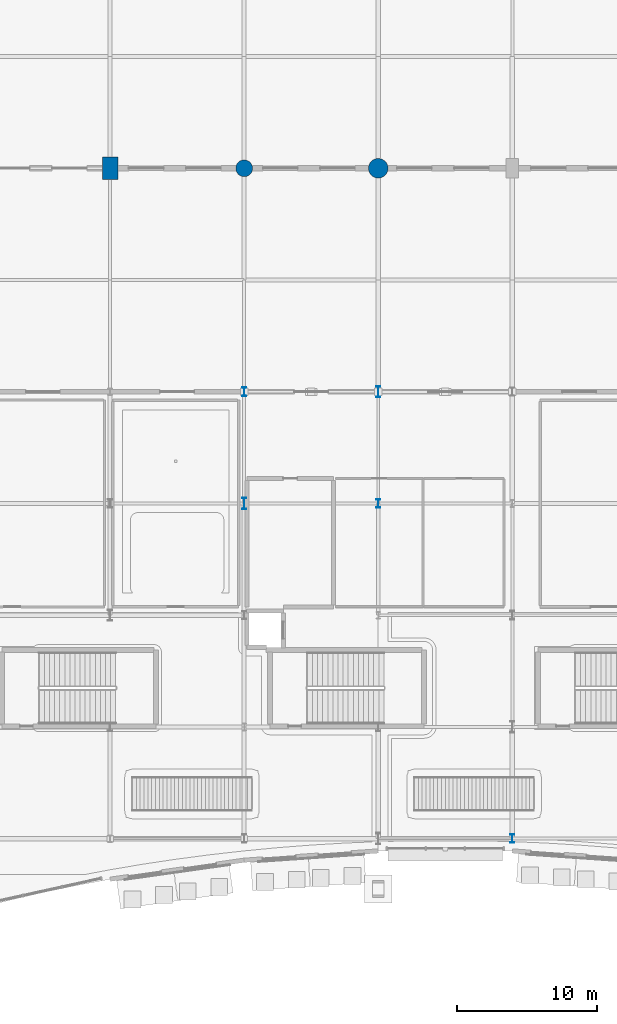
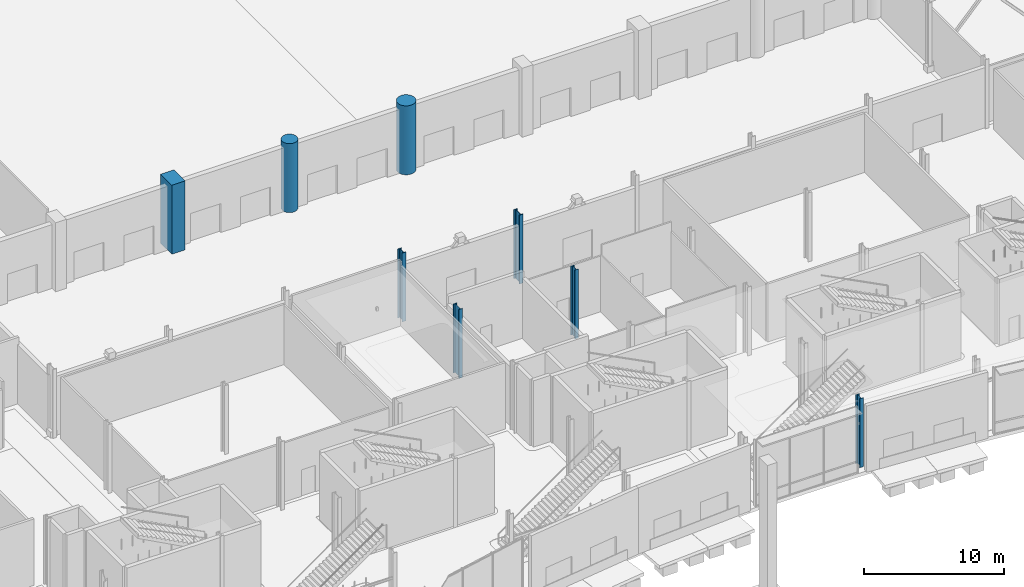
# One storey, part 9 of 124: 8 columns.
"""IFC4 building model written with IfcOpenShell, lengths in metres."""

from ifc_helpers import new_model, si_unit, direction, frame, origin, origin_2d, place, context, subcontext, project, spatial, rectangle, circle, i_section, extrude, material, material_profile, profile_set, type_object, element, save


model = new_model("IFC4")

# Units and contexts
model_context = context("Model", 3, precision=1e-05, world=origin(), true_north=direction((0.0, 1.0)))
body_context = subcontext(model_context, "Body", "Model", "MODEL_VIEW")
ifc_project = project(units=[si_unit("LENGTHUNIT", "METRE"), si_unit("AREAUNIT", "SQUARE_METRE"), si_unit("VOLUMEUNIT", "CUBIC_METRE"), si_unit("PLANEANGLEUNIT", "RADIAN"), si_unit("MASSUNIT", "GRAM", prefix="KILO")], contexts=[model_context])

# Site, building, storey
site_placement = place(None, origin())
site = spatial("IfcSite", under=ifc_project, at=site_placement, CompositionType="ELEMENT")
building_placement = place(site_placement, origin())
building = spatial("IfcBuilding", under=site, at=building_placement, Name="Danafjord Basin Convention Centre", CompositionType="ELEMENT")
storey_placement = place(building_placement, origin())
storey = spatial("IfcBuildingStorey", under=building, at=storey_placement, Name="L00", CompositionType="ELEMENT", Elevation=0.0)

# Columns
ifc_material_1 = material(Name="Steel S355", Category="steel")
ifc_material_profile_1 = material_profile(ifc_material_1, i_section(OverallWidth=0.300048828125, OverallDepth=0.60009765625, WebThickness=0.015380859375, FlangeThickness=0.030029296875, FilletRadius=0.027099609375, at=origin_2d()), Name="HEB 600")
ifc_profile_set_1 = profile_set([ifc_material_profile_1], Name="Steel S355")
column_type_1 = type_object("IfcColumnType", Name="COL-C-HEB600", PredefinedType="COLUMN", material=ifc_profile_set_1)
for number, where, z_axis, x_axis, name in (
    (1, (57.60009765625, 32.0, 0.0), (0.0, 0.0, 1.0), (1.0, 0.0, 0.0), "L00 column C-HEB600 at (57.6, 32.0)"),
    (2, (67.199951171875, 8.0, 0.0), (0.0, 0.0, 1.0), (1.0, 0.0, 0.0), "L00 column C-HEB600 at (67.2, 8.0)"),
):
    element("IfcColumn", number, at=place(storey_placement, frame(where, z_axis=z_axis, x_axis=x_axis)), inside=storey, type_object=column_type_1, Name=name, PredefinedType="COLUMN", context=body_context, shape_type="SweptSolid", body=[
        extrude(i_section(OverallWidth=0.300048828125, OverallDepth=0.60009765625, WebThickness=0.015380859375, FlangeThickness=0.030029296875, FilletRadius=0.027099609375, at=origin_2d()), origin(), (0.0, 0.0, 1.0), 6.0),
    ])
ifc_material_profile_2 = material_profile(ifc_material_1, i_section(OverallWidth=0.304931640625, OverallDepth=0.6201171875, WebThickness=0.02099609375, FlangeThickness=0.0400390625, FilletRadius=0.027099609375, at=origin_2d()), Name="HEM 600")
ifc_profile_set_2 = profile_set([ifc_material_profile_2], Name="Steel S355")
column_type_2 = type_object("IfcColumnType", Name="COL-C-HEM600", PredefinedType="COLUMN", material=ifc_profile_set_2)
column_1_placement = place(storey_placement, frame((48.0, 40.0, 0.0), z_axis=(0.0, 0.0, 1.0), x_axis=(1.0, 0.0, 0.0)))
element("IfcColumn", 3, at=column_1_placement, inside=storey, type_object=column_type_2, Name="L00 column C-HEM600 at (48.0, 40.0)", PredefinedType="COLUMN", context=body_context, shape_type="SweptSolid", body=[
    extrude(i_section(OverallWidth=0.304931640625, OverallDepth=0.6201171875, WebThickness=0.02099609375, FlangeThickness=0.0400390625, FilletRadius=0.027099609375, at=origin_2d()), origin(), (0.0, 0.0, 1.0), 6.0),
])
ifc_material_profile_3 = material_profile(ifc_material_1, i_section(OverallWidth=0.302978515625, OverallDepth=0.81396484375, WebThickness=0.02099609375, FlangeThickness=0.0400390625, FilletRadius=0.030029296875, at=origin_2d()), Name="HEM 800")
ifc_profile_set_3 = profile_set([ifc_material_profile_3], Name="Steel S355")
column_type_3 = type_object("IfcColumnType", Name="COL-C-HEM800", PredefinedType="COLUMN", material=ifc_profile_set_3)
for number, where, z_axis, x_axis, name in (
    (4, (48.0, 32.0, 0.0), (0.0, 0.0, 1.0), (1.0, 0.0, 0.0), "L00 column C-HEM800 at (48.0, 32.0)"),
    (5, (57.60009765625, 40.0, 0.0), (0.0, 0.0, 1.0), (1.0, 0.0, 0.0), "L00 column C-HEM800 at (57.6, 40.0)"),
):
    element("IfcColumn", number, at=place(storey_placement, frame(where, z_axis=z_axis, x_axis=x_axis)), inside=storey, type_object=column_type_3, Name=name, PredefinedType="COLUMN", context=body_context, shape_type="SweptSolid", body=[
        extrude(i_section(OverallWidth=0.302978515625, OverallDepth=0.81396484375, WebThickness=0.02099609375, FlangeThickness=0.0400390625, FilletRadius=0.030029296875, at=origin_2d()), origin(), (0.0, 0.0, 1.0), 6.0),
    ])
ifc_material_2 = material(Name="Concrete C50/60", Category="concrete")
ifc_material_profile_4 = material_profile(ifc_material_2, rectangle(XDim=1.10009765625, YDim=1.60009765625, at=origin_2d()), Name="RC 1600x1100")
ifc_profile_set_4 = profile_set([ifc_material_profile_4], Name="Concrete C50/60")
column_type_4 = type_object("IfcColumnType", Name="COL-C-RC1600", PredefinedType="COLUMN", material=ifc_profile_set_4)
column_2_placement = place(storey_placement, frame((38.39990234375, 56.0, 0.0), z_axis=(0.0, 0.0, 1.0), x_axis=(1.0, 0.0, 0.0)))
element("IfcColumn", 6, at=column_2_placement, inside=storey, type_object=column_type_4, Name="L00 column C-RC1600 at (38.4, 56.0)", PredefinedType="COLUMN", context=body_context, shape_type="SweptSolid", body=[
    extrude(rectangle(XDim=1.10009765625, YDim=1.60009765625, at=origin_2d()), origin(), (0.0, 0.0, 1.0), 6.0),
])
ifc_material_profile_5 = material_profile(ifc_material_2, circle(Radius=0.60009765625, at=origin_2d()), Name="RC D1200")
ifc_profile_set_5 = profile_set([ifc_material_profile_5], Name="Concrete C50/60")
column_type_5 = type_object("IfcColumnType", Name="COL-C-RCD1200", PredefinedType="COLUMN", material=ifc_profile_set_5)
column_3_placement = place(storey_placement, frame((48.0, 56.0, 0.0), z_axis=(0.0, 0.0, 1.0), x_axis=(1.0, 0.0, 0.0)))
element("IfcColumn", 7, at=column_3_placement, inside=storey, type_object=column_type_5, Name="L00 column C-RCD1200 at (48.0, 56.0)", PredefinedType="COLUMN", context=body_context, shape_type="SweptSolid", body=[
    extrude(circle(Radius=0.60009765625, at=origin_2d()), origin(), (0.0, 0.0, 1.0), 6.0),
])
ifc_material_profile_6 = material_profile(ifc_material_2, circle(Radius=0.699951171875, at=origin_2d()), Name="RC D1400")
ifc_profile_set_6 = profile_set([ifc_material_profile_6], Name="Concrete C50/60")
column_type_6 = type_object("IfcColumnType", Name="COL-C-RCD1400", PredefinedType="COLUMN", material=ifc_profile_set_6)
column_4_placement = place(storey_placement, frame((57.60009765625, 56.0, 0.0), z_axis=(0.0, 0.0, 1.0), x_axis=(1.0, 0.0, 0.0)))
element("IfcColumn", 8, at=column_4_placement, inside=storey, type_object=column_type_6, Name="L00 column C-RCD1400 at (57.6, 56.0)", PredefinedType="COLUMN", context=body_context, shape_type="SweptSolid", body=[
    extrude(circle(Radius=0.699951171875, at=origin_2d()), origin(), (0.0, 0.0, 1.0), 6.0),
])

save(model, "model.ifc")
